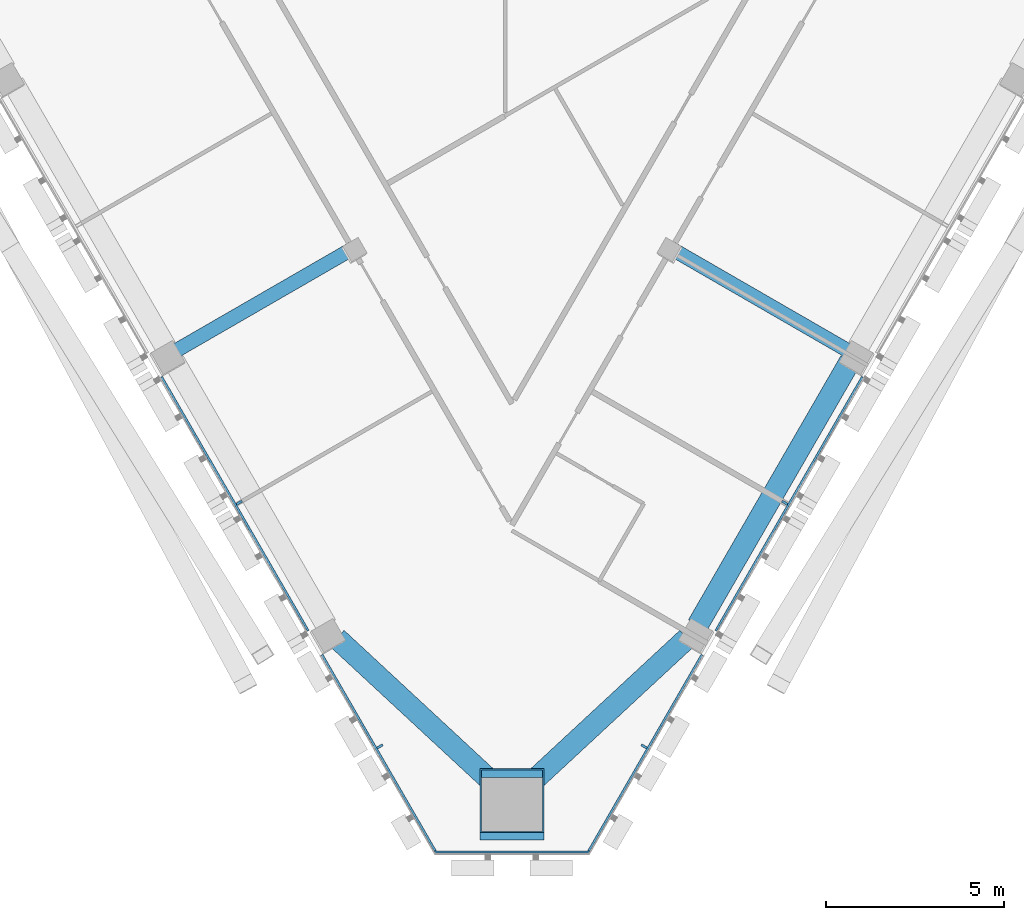
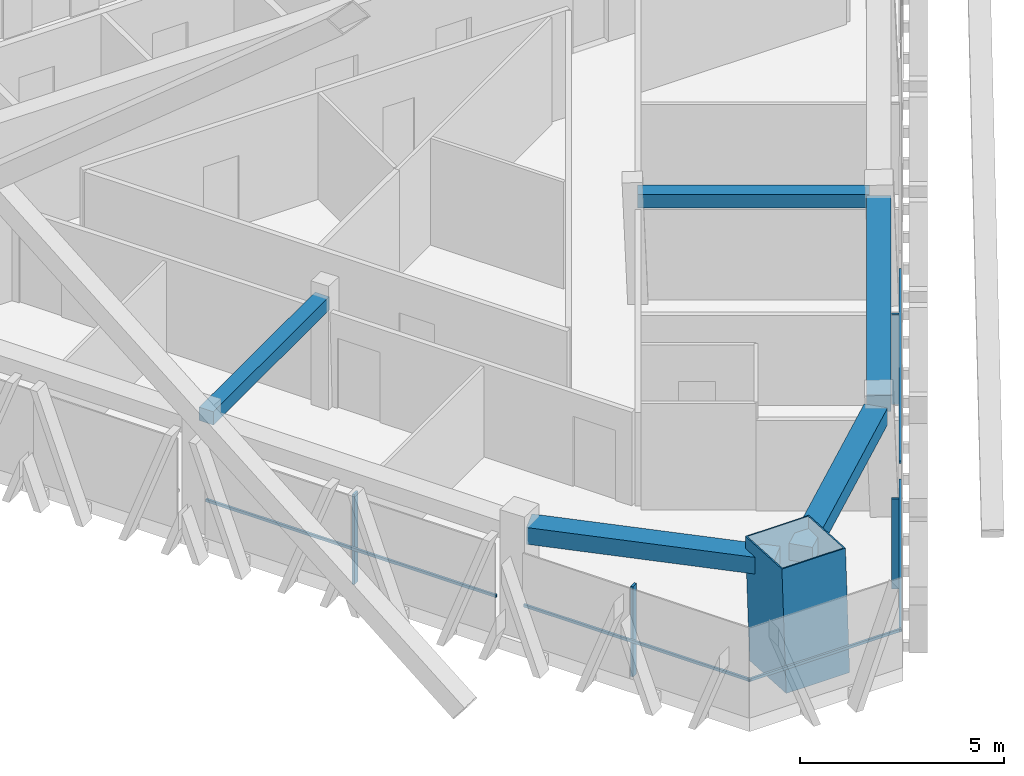
# One storey, part 2 of 12: 10 members, 5 beams, 3 elements without a shape of their own.
"""IFC4 building model written with IfcOpenShell, lengths in metres."""

from ifc_helpers import new_model, si_unit, direction, frame, origin, origin_2d, place, context, subcontext, project, spatial, rectangle, hollow_rectangle, extrude, material, layer, layer_set, material_profile, profile_set, type_object, element, aggregate, save


model = new_model("IFC4")

# Units and contexts
model_context = context("Model", 3, precision=1e-05, world=origin(), true_north=direction((0.0, 1.0)))
body_context = subcontext(model_context, "Body", "Model", "MODEL_VIEW")
ifc_project = project(units=[si_unit("LENGTHUNIT", "METRE"), si_unit("AREAUNIT", "SQUARE_METRE"), si_unit("VOLUMEUNIT", "CUBIC_METRE"), si_unit("PLANEANGLEUNIT", "RADIAN"), si_unit("MASSUNIT", "GRAM", prefix="KILO")], contexts=[model_context])

# Site, building, storey
site_placement = place(None, origin())
site = spatial("IfcSite", under=ifc_project, at=site_placement, CompositionType="ELEMENT")
building_placement = place(site_placement, origin())
building = spatial("IfcBuilding", under=site, at=building_placement, Name="Altiplano Prism Tower", CompositionType="ELEMENT")
storey_placement = place(building_placement, frame((0.0, 0.0, 291.39990234375)))
storey = spatial("IfcBuildingStorey", under=building, at=storey_placement, Name="L75", CompositionType="ELEMENT", Elevation=291.39990234375)

# Curtain wall, members
ifc_material_1 = material(Name="Aluminium and glass", Category="aluminium")
ifc_layer = layer(ifc_material_1, 0.280029296875)
ifc_layer_set = layer_set([ifc_layer], Name="Aluminium and glass")
curtain_wall_type = type_object("IfcCurtainWallType", Name="CW1 typical co-living unitised curtain wall", PredefinedType="NOTDEFINED", material=ifc_layer_set)
curtain_wall_1_placement = place(storey_placement, origin())
curtain_wall_1 = element("IfcCurtainWall", 1, at=curtain_wall_1_placement, inside=storey, type_object=curtain_wall_type, Name="CW1 curtain wall south-west face L75", PredefinedType="NOTDEFINED")
ifc_material_2 = material(Name="Aluminium", Category="aluminium")
ifc_material_profile_1 = material_profile(ifc_material_2, rectangle(XDim=0.179931640625, YDim=0.06494140625, at=origin_2d()), Name="CW1 mullion 65 x 180")
ifc_profile_set_1 = profile_set([ifc_material_profile_1], Name="Aluminium")
member_type_1 = type_object("IfcMemberType", Name="CW1 mullion 65 x 180", PredefinedType="MULLION", material=ifc_profile_set_1)
member_1_placement = place(storey_placement, frame((77.352783203125, 75.976318359375, 0.0), z_axis=(0.0, 0.0, 1.0), x_axis=(0.866025410373, 0.499999988588, 0.0)))
member_1 = element("IfcMember", 2, at=member_1_placement, type_object=member_type_1, Name="CW1 mullion", PredefinedType="MULLION", context=body_context, shape_type="SweptSolid", body=[
    extrude(rectangle(XDim=0.179931640625, YDim=0.06494140625, at=origin_2d()), origin(), (0.0, 0.0, 1.0), 2.7001953125),
])
member_2_placement = place(storey_placement, frame((81.296875, 69.144775390625, 0.0), z_axis=(0.0, 0.0, 1.0), x_axis=(0.866025410373, 0.499999988588, 0.0)))
member_2 = element("IfcMember", 3, at=member_2_placement, type_object=member_type_1, Name="CW1 mullion", PredefinedType="MULLION", context=body_context, shape_type="SweptSolid", body=[
    extrude(rectangle(XDim=0.179931640625, YDim=0.06494140625, at=origin_2d()), origin(), (0.0, 0.0, 1.0), 2.7001953125),
])

curtain_wall_2_placement = place(storey_placement, origin())
curtain_wall_2 = element("IfcCurtainWall", 4, at=curtain_wall_2_placement, inside=storey, type_object=curtain_wall_type, Name="CW1 curtain wall south-east face L75", PredefinedType="NOTDEFINED")
member_3_placement = place(storey_placement, frame((88.703125, 69.144775390625, 0.0), z_axis=(0.0, 0.0, 1.0), x_axis=(-0.866025410373, 0.499999988588, 0.0)))
member_3 = element("IfcMember", 5, at=member_3_placement, type_object=member_type_1, Name="CW1 mullion", PredefinedType="MULLION", context=body_context, shape_type="SweptSolid", body=[
    extrude(rectangle(XDim=0.179931640625, YDim=0.06494140625, at=origin_2d()), origin(), (0.0, 0.0, 1.0), 2.7001953125),
])
member_4_placement = place(storey_placement, frame((92.647216796875, 75.976318359375, 0.0), z_axis=(0.0, 0.0, 1.0), x_axis=(-0.866025410373, 0.499999988588, 0.0)))
member_4 = element("IfcMember", 6, at=member_4_placement, type_object=member_type_1, Name="CW1 mullion", PredefinedType="MULLION", context=body_context, shape_type="SweptSolid", body=[
    extrude(rectangle(XDim=0.179931640625, YDim=0.06494140625, at=origin_2d()), origin(), (0.0, 0.0, 1.0), 2.7001953125),
])

# Member
ifc_material_profile_2 = material_profile(ifc_material_2, rectangle(XDim=0.06005859375, YDim=0.080078125, at=origin_2d()), Name="CW1 transom 80 x 60")
ifc_profile_set_2 = profile_set([ifc_material_profile_2], Name="Aluminium")
member_type_2 = type_object("IfcMemberType", Name="CW1 transom 80 x 60", PredefinedType="USERDEFINED", material=ifc_profile_set_2)
member_5_placement = place(storey_placement, frame((75.173828125, 79.51025390625, 1.10009765625), z_axis=(0.500010383074, -0.866019409031, 0.0), x_axis=(0.866019409031, 0.500010383074, 0.0)))
member_5 = element("IfcMember", 7, at=member_5_placement, type_object=member_type_2, Name="CW1 transom", ObjectType="TRANSOM", PredefinedType="USERDEFINED", context=body_context, shape_type="SweptSolid", body=[
    extrude(rectangle(XDim=0.06005859375, YDim=0.080078125, at=origin_2d()), origin(), (0.0, 0.0, 1.0), 8.220458984375),
])

member_6_placement = place(storey_placement, frame((79.673828125, 71.7158203125, 1.10009765625), z_axis=(0.50002060729, -0.866013505833, 0.0), x_axis=(0.866013505833, 0.50002060729, 0.0)))
member_6 = element("IfcMember", 8, at=member_6_placement, type_object=member_type_2, Name="CW1 transom", ObjectType="TRANSOM", PredefinedType="USERDEFINED", context=body_context, shape_type="SweptSolid", body=[
    extrude(rectangle(XDim=0.06005859375, YDim=0.080078125, at=origin_2d()), origin(), (0.0, 0.0, 1.0), 6.426513671875),
])

aggregate(curtain_wall_1, [member_1, member_5, member_2, member_6])

# Curtain wall, member
curtain_wall_3_placement = place(storey_placement, origin())
curtain_wall_3 = element("IfcCurtainWall", 9, at=curtain_wall_3_placement, inside=storey, type_object=curtain_wall_type, Name="CW1 curtain wall south chamfer L75", PredefinedType="NOTDEFINED")
member_7_placement = place(storey_placement, frame((82.826416015625, 66.185546875, 1.10009765625), z_axis=(1.0, 0.0, 0.0), x_axis=(0.0, 1.0, 0.0)))
member_7 = element("IfcMember", 10, at=member_7_placement, type_object=member_type_2, Name="CW1 transom", ObjectType="TRANSOM", PredefinedType="USERDEFINED", context=body_context, shape_type="SweptSolid", body=[
    extrude(rectangle(XDim=0.06005859375, YDim=0.080078125, at=origin_2d()), origin(), (0.0, 0.0, 1.0), 4.34716796875),
])
aggregate(curtain_wall_3, [member_7])

# Member
member_8_placement = place(storey_placement, frame((87.11279296875, 66.150390625, 1.10009765625), z_axis=(0.50002060729, 0.866013505833, 0.0), x_axis=(-0.866013505833, 0.50002060729, 0.0)))
member_8 = element("IfcMember", 11, at=member_8_placement, type_object=member_type_2, Name="CW1 transom", ObjectType="TRANSOM", PredefinedType="USERDEFINED", context=body_context, shape_type="SweptSolid", body=[
    extrude(rectangle(XDim=0.06005859375, YDim=0.080078125, at=origin_2d()), origin(), (0.0, 0.0, 1.0), 6.426513671875),
])

member_9_placement = place(storey_placement, frame((90.7158203125, 72.39111328125, 1.10009765625), z_axis=(0.500010383074, 0.866019409031, 0.0), x_axis=(-0.866019409031, 0.500010383074, 0.0)))
member_9 = element("IfcMember", 12, at=member_9_placement, type_object=member_type_2, Name="CW1 transom", ObjectType="TRANSOM", PredefinedType="USERDEFINED", context=body_context, shape_type="SweptSolid", body=[
    extrude(rectangle(XDim=0.06005859375, YDim=0.080078125, at=origin_2d()), origin(), (0.0, 0.0, 1.0), 8.220458984375),
])

aggregate(curtain_wall_2, [member_3, member_8, member_4, member_9])

# Beams
ifc_material_3 = material(Name="Concrete C60/75", Category="concrete")
ifc_material_profile_3 = material_profile(ifc_material_3, rectangle(XDim=0.60009765625, YDim=0.5, at=origin_2d()), Name="Edge beam 600x500")
ifc_profile_set_3 = profile_set([ifc_material_profile_3], Name="Concrete C60/75")
beam_type_1 = type_object("IfcBeamType", Name="Edge beam 600x500", PredefinedType="SPANDREL", material=ifc_profile_set_3)
for number, where, z_axis, x_axis, name in (
    (13, (80.088623046875, 72.18017578125, 2.9501953125), (0.733253987773, -0.679954843658, 0.0), (0.679954843658, 0.733253987773, 0.0), "Edge beam P14-M1 L76"),
    (14, (85.330078125, 67.931884765625, 2.9501953125), (0.733253987773, 0.679954843658, 0.0), (-0.679954843658, 0.733253987773, 0.0), "Edge beam M1-P21 L76"),
):
    element("IfcBeam", number, at=place(storey_placement, frame(where, z_axis=z_axis, x_axis=x_axis)), inside=storey, type_object=beam_type_1, Name=name, PredefinedType="SPANDREL", context=body_context, shape_type="SweptSolid", body=[
        extrude(rectangle(XDim=0.60009765625, YDim=0.5, at=origin_2d()), origin(), (0.0, 0.0, 1.0), 6.247802734375),
    ])
beam_placement = place(storey_placement, frame((90.20703125, 72.546875, 2.9501953125), z_axis=(0.500007039007, 0.866021339774, 0.0), x_axis=(-0.866021339774, 0.500007039007, 0.0)))
element("IfcBeam", 15, at=beam_placement, inside=storey, type_object=beam_type_1, Name="Edge beam P21-P22 L76", PredefinedType="SPANDREL", context=body_context, shape_type="SweptSolid", body=[
    extrude(rectangle(XDim=0.60009765625, YDim=0.5, at=origin_2d()), origin(), (0.0, 0.0, 1.0), 8.5400390625),
])

# Member
ifc_material_4 = material(Name="Steel S460", Category="steel")
ifc_material_profile_4 = material_profile(ifc_material_4, hollow_rectangle(XDim=1.800048828125, YDim=1.800048828125, WallThickness=0.0400390625, at=origin_2d()), Name="Mega column tube 1800")
ifc_profile_set_4 = profile_set([ifc_material_profile_4], Name="Steel S460")
member_type_3 = type_object("IfcMemberType", Name="Mega column tube 1800", PredefinedType="POST", material=ifc_profile_set_4)
member_10_placement = place(storey_placement, frame((85.0, 67.41552734375, 0.0), z_axis=(0.0, 0.058356907999, 0.998295783467), x_axis=(-1.0, 0.0, 0.0)))
element("IfcMember", 16, at=member_10_placement, inside=storey, type_object=member_type_3, Name="Mega column tube M1 L75", PredefinedType="POST", context=body_context, shape_type="SweptSolid", body=[
    extrude(hollow_rectangle(XDim=1.800048828125, YDim=1.800048828125, WallThickness=0.0400390625, at=origin_2d()), origin(), (0.0, 0.0, 1.0), 3.606201171875),
])

# Beams
ifc_material_profile_5 = material_profile(ifc_material_3, rectangle(XDim=0.39990234375, YDim=0.39990234375, at=origin_2d()), Name="Tie beam 400x400")
ifc_profile_set_5 = profile_set([ifc_material_profile_5], Name="Concrete C60/75")
beam_type_2 = type_object("IfcBeamType", Name="Tie beam 400x400", PredefinedType="BEAM", material=ifc_profile_set_5)
for number, where, z_axis, x_axis, name in (
    (17, (80.534912109375, 83.101806640625, 3.0), (-0.866029822496, -0.499992346489, 0.0), (0.499992346489, -0.866029822496, 0.0), "Tie beam I13 L76"),
    (18, (89.465087890625, 83.101806640625, 3.0), (0.866029822496, -0.499992346489, 0.0), (0.499992346489, 0.866029822496, 0.0), "Tie beam I22 L76"),
):
    element("IfcBeam", number, at=place(storey_placement, frame(where, z_axis=z_axis, x_axis=x_axis)), inside=storey, type_object=beam_type_2, Name=name, PredefinedType="BEAM", context=body_context, shape_type="SweptSolid", body=[
        extrude(rectangle(XDim=0.39990234375, YDim=0.39990234375, at=origin_2d()), origin(), (0.0, 0.0, 1.0), 5.68994140625),
    ])

save(model, "model.ifc")
